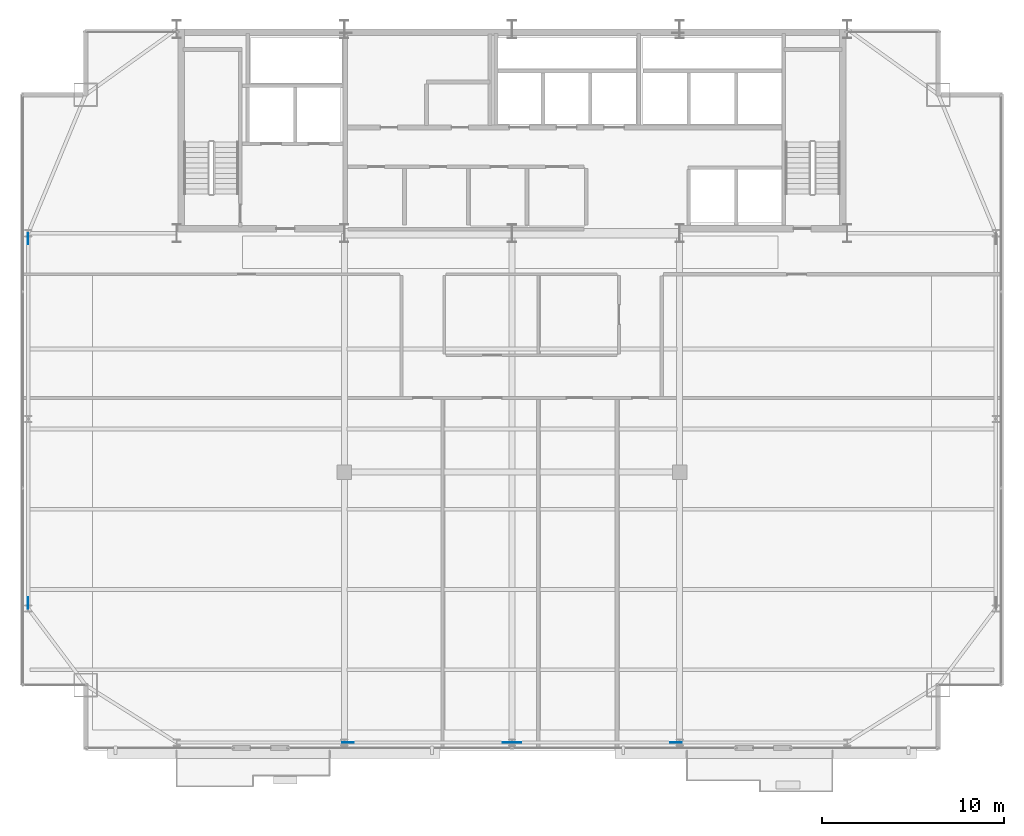
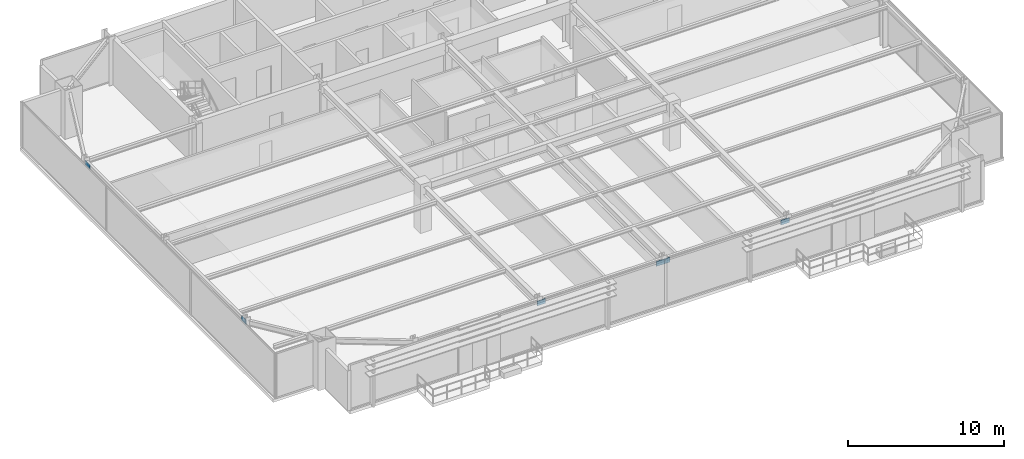
# One storey, part 25 of 31: 6 plates.
"""IFC4 building model written with IfcOpenShell, lengths in metres."""

from ifc_helpers import new_model, si_unit, direction, frame, origin, origin_2d, place, context, subcontext, project, spatial, rectangle, extrude, source, transform, mapped, material, layer, layer_set, type_object, type_shapes, element, save


model = new_model("IFC4")

# Units and contexts
model_context = context("Model", 3, precision=1e-05, world=origin(), true_north=direction((0.0, 1.0)))
body_context = subcontext(model_context, "Body", "Model", "MODEL_VIEW")
ifc_project = project(units=[si_unit("LENGTHUNIT", "METRE"), si_unit("AREAUNIT", "SQUARE_METRE"), si_unit("VOLUMEUNIT", "CUBIC_METRE"), si_unit("PLANEANGLEUNIT", "RADIAN"), si_unit("MASSUNIT", "GRAM", prefix="KILO")], contexts=[model_context])

# Site, building, storey
site_placement = place(None, origin())
site = spatial("IfcSite", under=ifc_project, at=site_placement, CompositionType="ELEMENT")
building_placement = place(site_placement, origin())
building = spatial("IfcBuilding", under=site, at=building_placement, Name="Varnel Quay Broadcast Tower", CompositionType="ELEMENT")
storey_placement = place(building_placement, frame((0.0, 0.0, 157.199951171875)))
storey = spatial("IfcBuildingStorey", under=building, at=storey_placement, Name="L38", CompositionType="ELEMENT", Elevation=157.199951171875)

# Plates
ifc_material = material(Name="Structural Steel CSA G40.21 350WT", Category="steel")
ifc_layer = layer(ifc_material, 0.031982421875, Name="Structural Steel CSA G40.21 350WT")
ifc_layer_set = layer_set([ifc_layer], Name="Structural Steel CSA G40.21 350WT")
plate_type = type_object("IfcPlateType", Name="Plate_EndCap", PredefinedType="USERDEFINED", material=ifc_layer_set)
shared_shape = source(origin(), body_context, "Body", "SweptSolid", [
    extrude(rectangle(XDim=0.6201171875, YDim=0.031982421875, at=origin_2d()), origin(), (0.0, 0.0, 1.0), 0.3798828125),
])
type_shapes(plate_type, [shared_shape])
for number, where, z_axis, x_axis, name in (
    (1, (33.800537109375, 7.64990234375, 3.0166015625), (0.0, 0.0, 1.0), (1.0, 0.0, 0.0), "Zone 3 Mega-Brace S-C1T1 Diag A End Connection Plate P1"),
    (2, (24.99951171875, 7.64990234375, 3.0166015625), (0.0, 0.0, 1.0), (1.0, 0.0, 0.0), "Zone 3 Mega-Brace S-C1T1 Diag B2 End Connection Plate P1"),
    (3, (43.00048828125, 7.64990234375, 3.0166015625), (0.0, 0.0, 1.0), (1.0, 0.0, 0.0), "Zone 3 Mega-Brace S-C2T1 Diag A End Connection Plate P1"),
    (4, (34.199462890625, 7.64990234375, 3.0166015625), (0.0, 0.0, 1.0), (1.0, 0.0, 0.0), "Zone 3 Mega-Brace S-C2T1 Diag B2 End Connection Plate P1"),
    (5, (7.449951171875, 35.292236328125, 3.1171875), (0.0, 0.0, 1.0), (0.0, 1.0, 0.0), "Zone 3 Mega-Brace W-FT1 Diag A End Connection Plate P1"),
    (6, (7.449951171875, 15.307861328125, 3.1171875), (0.0, 0.0, 1.0), (0.0, 1.0, 0.0), "Zone 3 Mega-Brace W-FT1 Diag B2 End Connection Plate P1"),
):
    element("IfcPlate", number, at=place(storey_placement, frame(where, z_axis=z_axis, x_axis=x_axis)), inside=storey, type_object=plate_type, Name=name, ObjectType="CAP_PLATE", PredefinedType="USERDEFINED", context=body_context, shape_type="MappedRepresentation", body=[
        mapped(shared_shape, transform((0.0, 0.0, 0.0), x_axis=(1.0, 0.0, 0.0), y_axis=(0.0, 1.0, 0.0), z_axis=(0.0, 0.0, 1.0), scale=1.0)),
    ])

save(model, "model.ifc")
